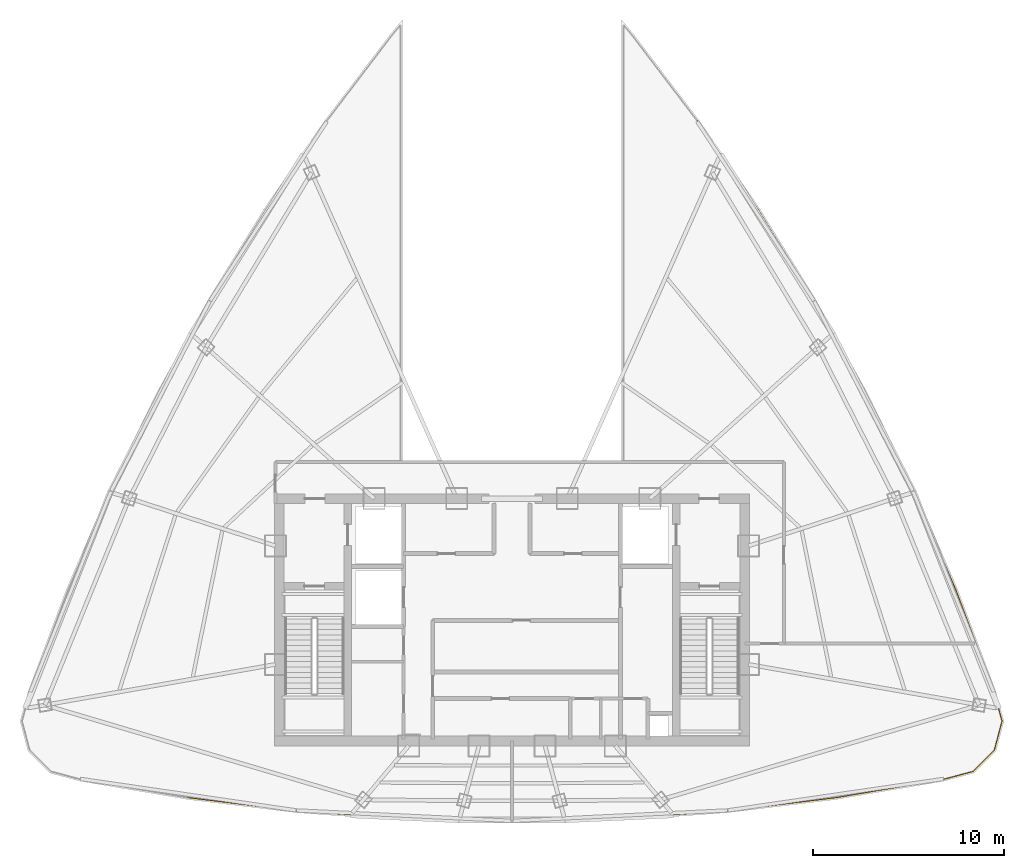
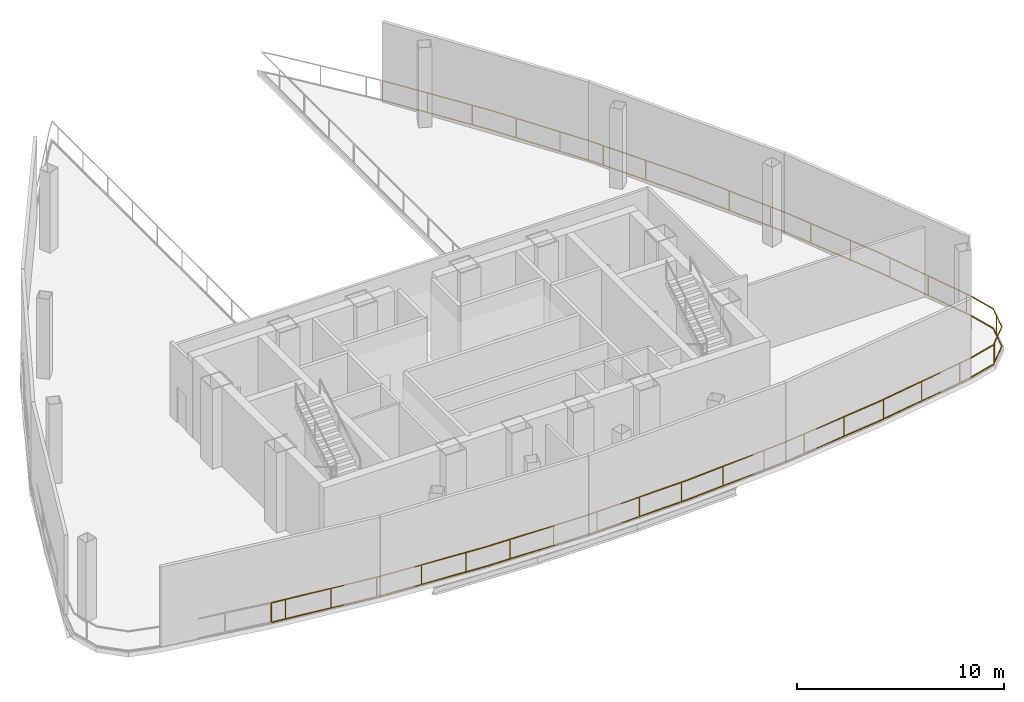
# One storey, part 5 of 6: 1 railing.
"""IFC4 building model written with IfcOpenShell, lengths in metres."""

from ifc_helpers import new_model, si_unit, direction, frame, origin, origin_2d, place, context, subcontext, project, spatial, rectangle, extrude, material, type_object, element, save


model = new_model("IFC4")

# Units and contexts
model_context = context("Model", 3, precision=1e-05, world=origin(), true_north=direction((0.0, 1.0)))
body_context = subcontext(model_context, "Body", "Model", "MODEL_VIEW")
ifc_project = project(units=[si_unit("LENGTHUNIT", "METRE"), si_unit("AREAUNIT", "SQUARE_METRE"), si_unit("VOLUMEUNIT", "CUBIC_METRE"), si_unit("PLANEANGLEUNIT", "RADIAN"), si_unit("MASSUNIT", "GRAM", prefix="KILO"), si_unit("THERMODYNAMICTEMPERATUREUNIT", "KELVIN"), si_unit("POWERUNIT", "WATT")], contexts=[model_context])

# Site, building, storey
site_placement = place(None, origin())
site = spatial("IfcSite", under=ifc_project, at=site_placement, CompositionType="ELEMENT")
building_placement = place(site_placement, origin())
building = spatial("IfcBuilding", under=site, at=building_placement, Name="Yunzhuo Pagoda Commons", CompositionType="ELEMENT")
storey_placement = place(building_placement, frame((0.0, 0.0, 376.760009765625)))
storey = spatial("IfcBuildingStorey", under=building, at=storey_placement, Name="L94", CompositionType="ELEMENT", Elevation=376.760009765625)

# Railing
ifc_material = material(Name="Anodized aluminium 6063-T6", Category="aluminium")
railing_type = type_object("IfcRailingType", Name="RL-PRT1 Wind Portal & Refuge Guardrail 1200", PredefinedType="GUARDRAIL", material=ifc_material)
railing_placement = place(storey_placement, frame((57.712890625, 59.97998046875, 0.0)))
element("IfcRailing", 1, at=railing_placement, inside=storey, type_object=railing_type, Name="L94 wind portal wing 1 guardrail A", PredefinedType="GUARDRAIL", context=body_context, shape_type="SweptSolid", body=[
    extrude(rectangle(XDim=0.048095703125, YDim=0.048095703125, at=origin_2d()), frame((0.0, 0.0, 1.17578125), z_axis=(0.566184343599, -0.824278647706, 0.0), x_axis=(0.824278647706, 0.566184343599, 0.0)), (0.0, 0.0, 1.0), 5.62548828125),
    extrude(rectangle(XDim=0.048095703125, YDim=0.048095703125, at=origin_2d()), frame((0.0, 0.0, 0.02392578125), z_axis=(0.566184343599, -0.824278647706, 0.0), x_axis=(0.824278647706, 0.566184343599, 0.0)), (0.0, 0.0, 1.0), 5.62548828125),
    extrude(rectangle(XDim=0.048095703125, YDim=0.048095703125, at=origin_2d()), frame((3.18505859375, -4.636962890625, 1.17578125), z_axis=(0.52515291418, -0.851007882883, 0.0), x_axis=(0.851007882883, 0.52515291418, 0.0)), (0.0, 0.0, 1.0), 5.61181640625),
    extrude(rectangle(XDim=0.048095703125, YDim=0.048095703125, at=origin_2d()), frame((3.18505859375, -4.636962890625, 0.02392578125), z_axis=(0.52515291418, -0.851007882883, 0.0), x_axis=(0.851007882883, 0.52515291418, 0.0)), (0.0, 0.0, 1.0), 5.61181640625),
    extrude(rectangle(XDim=0.048095703125, YDim=0.048095703125, at=origin_2d()), frame((6.132080078125, -9.41259765625, 1.17578125), z_axis=(0.482785214166, -0.875738794951, 0.0), x_axis=(0.875738794951, 0.482785214166, 0.0)), (0.0, 0.0, 1.0), 5.612060546875),
    extrude(rectangle(XDim=0.048095703125, YDim=0.048095703125, at=origin_2d()), frame((6.132080078125, -9.41259765625, 0.02392578125), z_axis=(0.482785214166, -0.875738794951, 0.0), x_axis=(0.875738794951, 0.482785214166, 0.0)), (0.0, 0.0, 1.0), 5.612060546875),
    extrude(rectangle(XDim=0.048095703125, YDim=0.048095703125, at=origin_2d()), frame((8.841552734375, -14.327392578125, 1.17578125), z_axis=(0.439384485978, -0.898299100234, 0.0), x_axis=(0.898299100234, 0.439384485978, 0.0)), (0.0, 0.0, 1.0), 5.625244140625),
    extrude(rectangle(XDim=0.048095703125, YDim=0.048095703125, at=origin_2d()), frame((8.841552734375, -14.327392578125, 0.02392578125), z_axis=(0.439384485978, -0.898299100234, 0.0), x_axis=(0.898299100234, 0.439384485978, 0.0)), (0.0, 0.0, 1.0), 5.625244140625),
    extrude(rectangle(XDim=0.048095703125, YDim=0.048095703125, at=origin_2d()), frame((11.313232421875, -19.380615234375, 1.17578125), z_axis=(0.395237697454, -0.91857888203, 0.0), x_axis=(0.91857888203, 0.395237697454, 0.0)), (0.0, 0.0, 1.0), 5.652587890625),
    extrude(rectangle(XDim=0.048095703125, YDim=0.048095703125, at=origin_2d()), frame((11.313232421875, -19.380615234375, 0.02392578125), z_axis=(0.395237697454, -0.91857888203, 0.0), x_axis=(0.91857888203, 0.395237697454, 0.0)), (0.0, 0.0, 1.0), 5.652587890625),
    extrude(rectangle(XDim=0.048095703125, YDim=0.048095703125, at=origin_2d()), frame((13.54736328125, -24.572998046875, 1.17578125), z_axis=(0.350704936473, -0.936486010325, 0.0), x_axis=(0.936486010325, 0.350704936473, 0.0)), (0.0, 0.0, 1.0), 5.690185546875),
    extrude(rectangle(XDim=0.048095703125, YDim=0.048095703125, at=origin_2d()), frame((13.54736328125, -24.572998046875, 0.02392578125), z_axis=(0.350704936473, -0.936486010325, 0.0), x_axis=(0.936486010325, 0.350704936473, 0.0)), (0.0, 0.0, 1.0), 5.690185546875),
    extrude(rectangle(XDim=0.048095703125, YDim=0.048095703125, at=origin_2d()), frame((15.54296875, -29.90185546875, 1.17578125), z_axis=(0.262922930823, -0.964816838808, 0.0), x_axis=(0.964816838808, 0.262922930823, 0.0)), (0.0, 0.0, 1.0), 1.593505859375),
    extrude(rectangle(XDim=0.048095703125, YDim=0.048095703125, at=origin_2d()), frame((15.54296875, -29.90185546875, 0.02392578125), z_axis=(0.262922930823, -0.964816838808, 0.0), x_axis=(0.964816838808, 0.262922930823, 0.0)), (0.0, 0.0, 1.0), 1.593505859375),
    extrude(rectangle(XDim=0.048095703125, YDim=0.048095703125, at=origin_2d()), frame((15.9619140625, -31.439208984375, 1.17578125), z_axis=(-0.256114674662, -0.966646405581, 0.0), x_axis=(0.966646405581, -0.256114674662, 0.0)), (0.0, 0.0, 1.0), 1.571044921875),
    extrude(rectangle(XDim=0.048095703125, YDim=0.048095703125, at=origin_2d()), frame((15.9619140625, -31.439208984375, 0.02392578125), z_axis=(-0.256114674662, -0.966646405581, 0.0), x_axis=(0.966646405581, -0.256114674662, 0.0)), (0.0, 0.0, 1.0), 1.571044921875),
    extrude(rectangle(XDim=0.048095703125, YDim=0.048095703125, at=origin_2d()), frame((15.5595703125, -32.957763671875, 1.17578125), z_axis=(-0.705784726327, -0.708426368851, 0.0), x_axis=(0.708426368851, -0.705784726327, 0.0)), (0.0, 0.0, 1.0), 1.571044921875),
    extrude(rectangle(XDim=0.048095703125, YDim=0.048095703125, at=origin_2d()), frame((15.5595703125, -32.957763671875, 0.02392578125), z_axis=(-0.705784726327, -0.708426368851, 0.0), x_axis=(0.708426368851, -0.705784726327, 0.0)), (0.0, 0.0, 1.0), 1.571044921875),
    extrude(rectangle(XDim=0.048095703125, YDim=0.048095703125, at=origin_2d()), frame((14.45068359375, -34.07080078125, 1.17578125), z_axis=(-0.965767970821, -0.259407452737, 0.0), x_axis=(0.259407452737, -0.965767970821, 0.0)), (0.0, 0.0, 1.0), 1.59326171875),
    extrude(rectangle(XDim=0.048095703125, YDim=0.048095703125, at=origin_2d()), frame((14.45068359375, -34.07080078125, 0.02392578125), z_axis=(-0.965767970821, -0.259407452737, 0.0), x_axis=(0.259407452737, -0.965767970821, 0.0)), (0.0, 0.0, 1.0), 1.59326171875),
    extrude(rectangle(XDim=0.048095703125, YDim=0.048095703125, at=origin_2d()), frame((12.911865234375, -34.484130859375, 1.17578125), z_axis=(-0.985802138358, -0.167911119374, 0.0), x_axis=(0.167911119374, -0.985802138358, 0.0)), (0.0, 0.0, 1.0), 5.736083984375),
    extrude(rectangle(XDim=0.048095703125, YDim=0.048095703125, at=origin_2d()), frame((12.911865234375, -34.484130859375, 0.02392578125), z_axis=(-0.985802138358, -0.167911119374, 0.0), x_axis=(0.167911119374, -0.985802138358, 0.0)), (0.0, 0.0, 1.0), 5.736083984375),
    extrude(rectangle(XDim=0.048095703125, YDim=0.048095703125, at=origin_2d()), frame((7.25732421875, -35.447265625, 1.17578125), z_axis=(-0.992679866882, -0.120775336415, 0.0), x_axis=(0.120775336415, -0.992679866882, 0.0)), (0.0, 0.0, 1.0), 5.698486328125),
    extrude(rectangle(XDim=0.048095703125, YDim=0.048095703125, at=origin_2d()), frame((7.25732421875, -35.447265625, 0.02392578125), z_axis=(-0.992679866882, -0.120775336415, 0.0), x_axis=(0.120775336415, -0.992679866882, 0.0)), (0.0, 0.0, 1.0), 5.698486328125),
    extrude(rectangle(XDim=0.048095703125, YDim=0.048095703125, at=origin_2d()), frame((1.6005859375, -36.135498046875, 1.17578125), z_axis=(-0.997347611659, -0.072785585918, 0.0), x_axis=(0.072785585918, -0.997347611659, 0.0)), (0.0, 0.0, 1.0), 5.672119140625),
    extrude(rectangle(XDim=0.048095703125, YDim=0.048095703125, at=origin_2d()), frame((1.6005859375, -36.135498046875, 0.02392578125), z_axis=(-0.997347611659, -0.072785585918, 0.0), x_axis=(0.072785585918, -0.997347611659, 0.0)), (0.0, 0.0, 1.0), 5.672119140625),
    extrude(rectangle(XDim=0.048095703125, YDim=0.048095703125, at=origin_2d()), frame((-4.056396484375, -36.54833984375, 1.17578125), z_axis=(-0.999703843907, -0.024335662651, 0.0), x_axis=(0.024335662651, -0.999703843907, 0.0)), (0.0, 0.0, 1.0), 5.658203125),
    extrude(rectangle(XDim=0.048095703125, YDim=0.048095703125, at=origin_2d()), frame((-4.056396484375, -36.54833984375, 0.02392578125), z_axis=(-0.999703843907, -0.024335662651, 0.0), x_axis=(0.024335662651, -0.999703843907, 0.0)), (0.0, 0.0, 1.0), 5.658203125),
    extrude(rectangle(XDim=0.048095703125, YDim=0.048095703125, at=origin_2d()), frame((-9.712890625, -36.68603515625, 1.17578125), z_axis=(-0.999703869459, 0.024334612964, 0.0), x_axis=(-0.024334612964, -0.999703869459, 0.0)), (0.0, 0.0, 1.0), 5.658447265625),
    extrude(rectangle(XDim=0.048095703125, YDim=0.048095703125, at=origin_2d()), frame((-9.712890625, -36.68603515625, 0.02392578125), z_axis=(-0.999703869459, 0.024334612964, 0.0), x_axis=(-0.024334612964, -0.999703869459, 0.0)), (0.0, 0.0, 1.0), 5.658447265625),
    extrude(rectangle(XDim=0.048095703125, YDim=0.048095703125, at=origin_2d()), frame((-15.36962890625, -36.54833984375, 1.17578125), z_axis=(-0.997347383614, 0.072788710647, 0.0), x_axis=(-0.072788710647, -0.997347383614, 0.0)), (0.0, 0.0, 1.0), 5.671875),
    extrude(rectangle(XDim=0.048095703125, YDim=0.048095703125, at=origin_2d()), frame((-15.36962890625, -36.54833984375, 0.02392578125), z_axis=(-0.997347383614, 0.072788710647, 0.0), x_axis=(-0.072788710647, -0.997347383614, 0.0)), (0.0, 0.0, 1.0), 5.671875),
    extrude(rectangle(XDim=0.048095703125, YDim=0.048095703125, at=origin_2d()), frame((-21.0263671875, -36.135498046875, 1.17578125), z_axis=(-0.992679866882, 0.120775336415, 0.0), x_axis=(-0.120775336415, -0.992679866882, 0.0)), (0.0, 0.0, 1.0), 5.698486328125),
    extrude(rectangle(XDim=0.048095703125, YDim=0.048095703125, at=origin_2d()), frame((-21.0263671875, -36.135498046875, 0.02392578125), z_axis=(-0.992679866882, 0.120775336415, 0.0), x_axis=(-0.120775336415, -0.992679866882, 0.0)), (0.0, 0.0, 1.0), 5.698486328125),
    extrude(rectangle(XDim=0.0419921875, YDim=0.0419921875, at=origin_2d()), origin(), (0.0, 0.0, 1.0), 1.15185546875),
    extrude(rectangle(XDim=0.0419921875, YDim=0.0419921875, at=origin_2d()), frame((1.35888671875, -1.978271484375, 0.0)), (0.0, 0.0, 1.0), 1.15185546875),
    extrude(rectangle(XDim=0.0419921875, YDim=0.0419921875, at=origin_2d()), frame((2.7177734375, -3.95654296875, 0.0)), (0.0, 0.0, 1.0), 1.15185546875),
    extrude(rectangle(XDim=0.0419921875, YDim=0.0419921875, at=origin_2d()), frame((4.011962890625, -5.976806640625, 0.0)), (0.0, 0.0, 1.0), 1.15185546875),
    extrude(rectangle(XDim=0.0419921875, YDim=0.0419921875, at=origin_2d()), frame((5.272216796875, -8.019287109375, 0.0)), (0.0, 0.0, 1.0), 1.15185546875),
    extrude(rectangle(XDim=0.0419921875, YDim=0.0419921875, at=origin_2d()), frame((6.500244140625, -10.08056640625, 0.0)), (0.0, 0.0, 1.0), 1.15185546875),
    extrude(rectangle(XDim=0.0419921875, YDim=0.0419921875, at=origin_2d()), frame((7.658935546875, -12.182373046875, 0.0)), (0.0, 0.0, 1.0), 1.15185546875),
    extrude(rectangle(XDim=0.0419921875, YDim=0.0419921875, at=origin_2d()), frame((9.874267578125, -16.43896484375, 0.0)), (0.0, 0.0, 1.0), 1.15185546875),
    extrude(rectangle(XDim=0.0419921875, YDim=0.0419921875, at=origin_2d()), frame((10.928955078125, -18.594970703125, 0.0)), (0.0, 0.0, 1.0), 1.15185546875),
    extrude(rectangle(XDim=0.0419921875, YDim=0.0419921875, at=origin_2d()), frame((11.916015625, -20.78173828125, 0.0)), (0.0, 0.0, 1.0), 1.15185546875),
    extrude(rectangle(XDim=0.0419921875, YDim=0.0419921875, at=origin_2d()), frame((12.86474609375, -22.986328125, 0.0)), (0.0, 0.0, 1.0), 1.15185546875),
    extrude(rectangle(XDim=0.0419921875, YDim=0.0419921875, at=origin_2d()), frame((13.783203125, -25.202880859375, 0.0)), (0.0, 0.0, 1.0), 1.15185546875),
    extrude(rectangle(XDim=0.0419921875, YDim=0.0419921875, at=origin_2d()), frame((14.625, -27.450439453125, 0.0)), (0.0, 0.0, 1.0), 1.15185546875),
    extrude(rectangle(XDim=0.0419921875, YDim=0.0419921875, at=origin_2d()), frame((15.466552734375, -29.697998046875, 0.0)), (0.0, 0.0, 1.0), 1.15185546875),
    extrude(rectangle(XDim=0.0419921875, YDim=0.0419921875, at=origin_2d()), frame((15.81103515625, -32.008544921875, 0.0)), (0.0, 0.0, 1.0), 1.15185546875),
    extrude(rectangle(XDim=0.0419921875, YDim=0.0419921875, at=origin_2d()), frame((14.558837890625, -33.96240234375, 0.0)), (0.0, 0.0, 1.0), 1.15185546875),
    extrude(rectangle(XDim=0.0419921875, YDim=0.0419921875, at=origin_2d()), frame((12.267578125, -34.59375, 0.0)), (0.0, 0.0, 1.0), 1.15185546875),
    extrude(rectangle(XDim=0.0419921875, YDim=0.0419921875, at=origin_2d()), frame((9.901611328125, -34.996826171875, 0.0)), (0.0, 0.0, 1.0), 1.15185546875),
    extrude(rectangle(XDim=0.0419921875, YDim=0.0419921875, at=origin_2d()), frame((7.535888671875, -35.39990234375, 0.0)), (0.0, 0.0, 1.0), 1.15185546875),
    extrude(rectangle(XDim=0.0419921875, YDim=0.0419921875, at=origin_2d()), frame((5.1552734375, -35.703125, 0.0)), (0.0, 0.0, 1.0), 1.15185546875),
    extrude(rectangle(XDim=0.0419921875, YDim=0.0419921875, at=origin_2d()), frame((2.77294921875, -35.992919921875, 0.0)), (0.0, 0.0, 1.0), 1.15185546875),
    extrude(rectangle(XDim=0.0419921875, YDim=0.0419921875, at=origin_2d()), frame((0.384765625, -36.22412109375, 0.0)), (0.0, 0.0, 1.0), 1.15185546875),
    extrude(rectangle(XDim=0.0419921875, YDim=0.0419921875, at=origin_2d()), frame((-2.0087890625, -36.39892578125, 0.0)), (0.0, 0.0, 1.0), 1.15185546875),
    extrude(rectangle(XDim=0.0419921875, YDim=0.0419921875, at=origin_2d()), frame((-4.4033203125, -36.556884765625, 0.0)), (0.0, 0.0, 1.0), 1.15185546875),
    extrude(rectangle(XDim=0.0419921875, YDim=0.0419921875, at=origin_2d()), frame((-6.802734375, -36.615234375, 0.0)), (0.0, 0.0, 1.0), 1.15185546875),
    extrude(rectangle(XDim=0.0419921875, YDim=0.0419921875, at=origin_2d()), frame((-9.201904296875, -36.673583984375, 0.0)), (0.0, 0.0, 1.0), 1.15185546875),
    extrude(rectangle(XDim=0.0419921875, YDim=0.0419921875, at=origin_2d()), frame((-11.601318359375, -36.64013671875, 0.0)), (0.0, 0.0, 1.0), 1.15185546875),
    extrude(rectangle(XDim=0.0419921875, YDim=0.0419921875, at=origin_2d()), frame((-14.00048828125, -36.581787109375, 0.0)), (0.0, 0.0, 1.0), 1.15185546875),
    extrude(rectangle(XDim=0.0419921875, YDim=0.0419921875, at=origin_2d()), frame((-16.3974609375, -36.473388671875, 0.0)), (0.0, 0.0, 1.0), 1.15185546875),
    extrude(rectangle(XDim=0.0419921875, YDim=0.0419921875, at=origin_2d()), frame((-18.791015625, -36.298583984375, 0.0)), (0.0, 0.0, 1.0), 1.15185546875),
    extrude(rectangle(XDim=0.0419921875, YDim=0.0419921875, at=origin_2d()), frame((-21.183837890625, -36.1162109375, 0.0)), (0.0, 0.0, 1.0), 1.15185546875),
    extrude(rectangle(XDim=0.0419921875, YDim=0.0419921875, at=origin_2d()), frame((-23.56640625, -35.826416015625, 0.0)), (0.0, 0.0, 1.0), 1.15185546875),
    extrude(rectangle(XDim=0.0419921875, YDim=0.0419921875, at=origin_2d()), frame((-25.94873046875, -35.53662109375, 0.0)), (0.0, 0.0, 1.0), 1.15185546875),
    extrude(rectangle(XDim=0.0419921875, YDim=0.0419921875, at=origin_2d()), frame((-26.68310546875, -35.447265625, 0.0)), (0.0, 0.0, 1.0), 1.15185546875),
])

save(model, "model.ifc")
